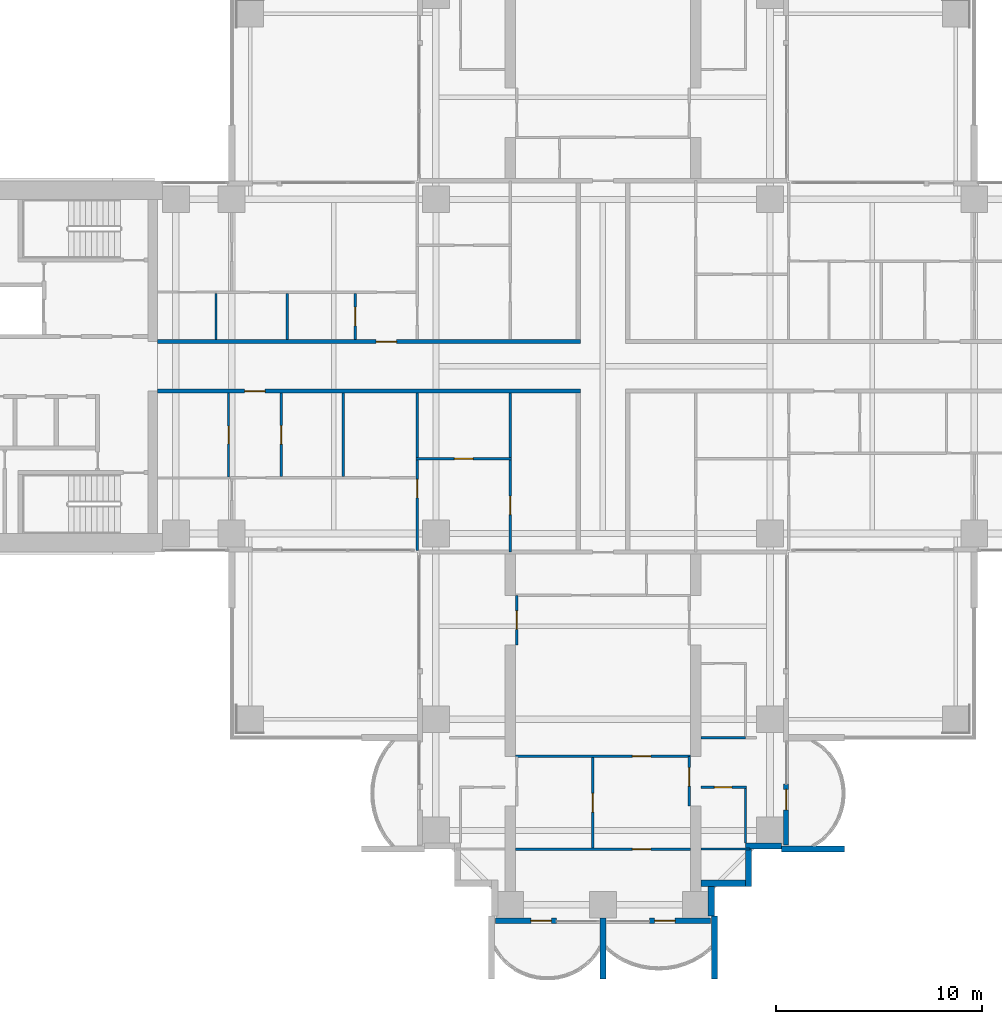
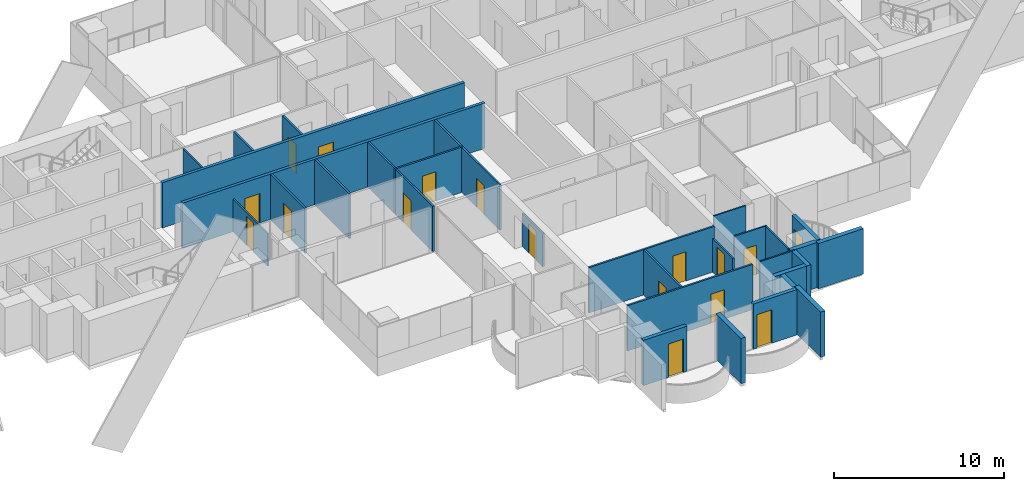
# One storey, part 12 of 23: 30 walls, 17 doors, 17 openings.
"""IFC4 building model written with IfcOpenShell, lengths in metres."""

from ifc_helpers import new_model, si_unit, direction, frame, frame_2d, origin, place, context, subcontext, project, spatial, rectangle, extrude, material, layer, layer_set, type_object, element, fill, save


model = new_model("IFC4")

# Units and contexts
model_context = context("Model", 3, precision=1e-05, world=origin(), true_north=direction((0.0, 1.0)))
body_context = subcontext(model_context, "Body", "Model", "MODEL_VIEW")
ifc_project = project(units=[si_unit("LENGTHUNIT", "METRE"), si_unit("AREAUNIT", "SQUARE_METRE"), si_unit("VOLUMEUNIT", "CUBIC_METRE"), si_unit("PLANEANGLEUNIT", "RADIAN"), si_unit("MASSUNIT", "GRAM", prefix="KILO")], contexts=[model_context])

# Site, building, storey
site_placement = place(None, origin())
site = spatial("IfcSite", under=ifc_project, at=site_placement, CompositionType="ELEMENT")
building_placement = place(site_placement, origin())
building = spatial("IfcBuilding", under=site, at=building_placement, Name="Perihelion Cross Residences", CompositionType="ELEMENT")
storey_placement = place(building_placement, frame((0.0, 0.0, 85.5)))
storey = spatial("IfcBuildingStorey", under=building, at=storey_placement, Name="L19", CompositionType="ELEMENT", Elevation=85.5)

# Wall, opening, door
ifc_material_1 = material(Name="Plasterboard partition")
ifc_layer_1 = layer(ifc_material_1, 0.199951171875)
ifc_layer_set_1 = layer_set([ifc_layer_1], Name="Apartment separation wall 200")
wall_type_1 = type_object("IfcWallType", Name="Apartment separation wall 200", PredefinedType="PARTITIONING", material=ifc_layer_set_1)
wall_1_placement = place(storey_placement, frame((-21.60009765625, 1.199951171875, 0.0), z_axis=(0.0, 0.0, 1.0), x_axis=(1.0, 0.0, 0.0)))
wall_1 = element("IfcWall", 1, at=wall_1_placement, inside=storey, type_object=wall_type_1, Name="Partition L19 W005", PredefinedType="PARTITIONING", context=body_context, shape_type="SweptSolid", body=[
    extrude(rectangle(XDim=20.5, YDim=0.199951171875, at=frame_2d((10.25, 0.0))), origin(), (0.0, 0.0, 1.0), 3.25),
])
opening_1_placement = place(wall_1_placement, frame((10.60009765625, 0.0, 0.0)))
opening_1 = element("IfcOpeningElement", 2, at=opening_1_placement, cuts=wall_1, Name="Opening L19.A55", PredefinedType="OPENING", context=body_context, shape_type="SweptSolid", body=[
    extrude(rectangle(XDim=1.0, YDim=2.10009765625, at=frame_2d((0.5, 1.050048828125))), frame((0.0, 0.10986328125, 0.0), z_axis=(0.0, -1.0, 0.0), x_axis=(1.0, 0.0, 0.0)), (0.0, 0.0, 1.0), 0.219970703125),
])
ifc_material_2 = material(Name="Timber door leaf", Category="wood")
door_type_1 = type_object("IfcDoorType", Name="Flat entrance door 1000 x 2100", OperationType="SINGLE_SWING_LEFT", PredefinedType="DOOR", material=ifc_material_2)
door_1_placement = place(opening_1_placement, origin())
door_1 = element("IfcDoor", 3, at=door_1_placement, inside=storey, type_object=door_type_1, Name="Door L19.A55", OperationType="SINGLE_SWING_LEFT", OverallHeight=2.10009765625, OverallWidth=1.0, PredefinedType="DOOR", context=body_context, shape_type="SweptSolid", body=[
    extrude(rectangle(XDim=1.0, YDim=2.10009765625, at=frame_2d((0.5, 1.050048828125))), frame((0.0, 0.02490234375, 0.0), z_axis=(0.0, -1.0, 0.0), x_axis=(1.0, 0.0, 0.0)), (0.0, 0.0, 1.0), 0.050048828125),
])
fill(opening_1, door_1)

wall_2_placement = place(storey_placement, frame((-1.10009765625, -1.199951171875, 0.0), z_axis=(0.0, 0.0, 1.0), x_axis=(-1.0, 0.0, 0.0)))
wall_2 = element("IfcWall", 4, at=wall_2_placement, inside=storey, type_object=wall_type_1, Name="Partition L19 W007", PredefinedType="PARTITIONING", context=body_context, shape_type="SweptSolid", body=[
    extrude(rectangle(XDim=20.5, YDim=0.199951171875, at=frame_2d((10.25, 0.0))), origin(), (0.0, 0.0, 1.0), 3.25),
])
opening_2_placement = place(wall_2_placement, frame((15.27490234375, 0.0, 0.0)))
opening_2 = element("IfcOpeningElement", 5, at=opening_2_placement, cuts=wall_2, Name="Opening L19.A56", PredefinedType="OPENING", context=body_context, shape_type="SweptSolid", body=[
    extrude(rectangle(XDim=1.0, YDim=2.10009765625, at=frame_2d((0.5, 1.050048828125))), frame((0.0, 0.10986328125, 0.0), z_axis=(0.0, -1.0, 0.0), x_axis=(1.0, 0.0, 0.0)), (0.0, 0.0, 1.0), 0.219970703125),
])
door_2_placement = place(opening_2_placement, origin())
door_2 = element("IfcDoor", 6, at=door_2_placement, inside=storey, type_object=door_type_1, Name="Door L19.A56", OperationType="SINGLE_SWING_RIGHT", OverallHeight=2.10009765625, OverallWidth=1.0, PredefinedType="DOOR", context=body_context, shape_type="SweptSolid", body=[
    extrude(rectangle(XDim=1.0, YDim=2.10009765625, at=frame_2d((0.5, 1.050048828125))), frame((0.0, 0.02490234375, 0.0), z_axis=(0.0, -1.0, 0.0), x_axis=(1.0, 0.0, 0.0)), (0.0, 0.0, 1.0), 0.050048828125),
])
fill(opening_2, door_2)

ifc_material_3 = material(Name="Concrete C30/37, bronze-clad", Category="concrete")
ifc_layer_2 = layer(ifc_material_3, 0.25)
ifc_layer_set_2 = layer_set([ifc_layer_2], Name="Bronze-clad pier wall 250")
wall_type_2 = type_object("IfcWallType", Name="Bronze-clad pier wall 250", PredefinedType="SOLIDWALL", material=ifc_layer_set_2)
wall_3_placement = place(storey_placement, frame((-5.199951171875, -26.875, 0.0), z_axis=(0.0, 0.0, 1.0), x_axis=(1.0, 0.0, 0.0)))
wall_3 = element("IfcWall", 7, at=wall_3_placement, inside=storey, type_object=wall_type_2, Name="Wall FW1 L19 south tip south bay 1 pier", PredefinedType="SOLIDWALL", context=body_context, shape_type="SweptSolid", body=[
    extrude(rectangle(XDim=2.949951171875, YDim=0.25, at=frame_2d((1.47509765625, 0.0))), origin(), (0.0, 0.0, 1.0), 3.25),
])
opening_3_placement = place(wall_3_placement, frame((1.699951171875, 0.0, 0.0)))
opening_3 = element("IfcOpeningElement", 8, at=opening_3_placement, cuts=wall_3, Name="Opening L19.E12", PredefinedType="OPENING", context=body_context, shape_type="SweptSolid", body=[
    extrude(rectangle(XDim=1.0, YDim=2.39990234375, at=frame_2d((0.5, 1.199951171875))), frame((0.0, 0.135009765625, 0.0), z_axis=(0.0, -1.0, 0.0), x_axis=(1.0, 0.0, 0.0)), (0.0, 0.0, 1.0), 0.27001953125),
])
ifc_material_4 = material(Name="Bronze anodised aluminium, glazed", Category="aluminium")
door_type_2 = type_object("IfcDoorType", Name="Balcony door 1000 x 2400", OperationType="NOTDEFINED", PredefinedType="DOOR", material=ifc_material_4)
door_3_placement = place(opening_3_placement, origin())
door_3 = element("IfcDoor", 9, at=door_3_placement, inside=storey, type_object=door_type_2, Name="Door L19.E12 south tip south bay 1", OperationType="SINGLE_SWING_LEFT", OverallHeight=2.39990234375, OverallWidth=1.0, PredefinedType="DOOR", context=body_context, shape_type="SweptSolid", body=[
    extrude(rectangle(XDim=1.0, YDim=2.39990234375, at=frame_2d((0.5, 1.199951171875))), frame((0.0, 0.02490234375, 0.0), z_axis=(0.0, -1.0, 0.0), x_axis=(1.0, 0.0, 0.0)), (0.0, 0.0, 1.0), 0.050048828125),
])
fill(opening_3, door_3)

wall_4_placement = place(storey_placement, frame((2.25, -26.875, 0.0), z_axis=(0.0, 0.0, 1.0), x_axis=(1.0, 0.0, 0.0)))
wall_4 = element("IfcWall", 10, at=wall_4_placement, inside=storey, type_object=wall_type_2, Name="Wall FW1 L19 south tip south bay 2 pier", PredefinedType="SOLIDWALL", context=body_context, shape_type="SweptSolid", body=[
    extrude(rectangle(XDim=2.949951171875, YDim=0.25, at=frame_2d((1.47509765625, 0.0))), origin(), (0.0, 0.0, 1.0), 3.25),
])
opening_4_placement = place(wall_4_placement, frame((0.25, 0.0, 0.0)))
opening_4 = element("IfcOpeningElement", 11, at=opening_4_placement, cuts=wall_4, Name="Opening L19.E13", PredefinedType="OPENING", context=body_context, shape_type="SweptSolid", body=[
    extrude(rectangle(XDim=1.0, YDim=2.39990234375, at=frame_2d((0.5, 1.199951171875))), frame((0.0, 0.135009765625, 0.0), z_axis=(0.0, -1.0, 0.0), x_axis=(1.0, 0.0, 0.0)), (0.0, 0.0, 1.0), 0.27001953125),
])
door_4_placement = place(opening_4_placement, origin())
door_4 = element("IfcDoor", 12, at=door_4_placement, inside=storey, type_object=door_type_2, Name="Door L19.E13 south tip south bay 2", OperationType="SINGLE_SWING_RIGHT", OverallHeight=2.39990234375, OverallWidth=1.0, PredefinedType="DOOR", context=body_context, shape_type="SweptSolid", body=[
    extrude(rectangle(XDim=1.0, YDim=2.39990234375, at=frame_2d((0.5, 1.199951171875))), frame((0.0, 0.02490234375, 0.0), z_axis=(0.0, -1.0, 0.0), x_axis=(1.0, 0.0, 0.0)), (0.0, 0.0, 1.0), 0.050048828125),
])
fill(opening_4, door_4)

wall_5_placement = place(storey_placement, frame((8.875, -23.199951171875, 0.0), z_axis=(0.0, 0.0, 1.0), x_axis=(0.0, 1.0, 0.0)))
wall_5 = element("IfcWall", 13, at=wall_5_placement, inside=storey, type_object=wall_type_2, Name="Wall FW1 L19 south side east bay 1 pier", PredefinedType="SOLIDWALL", context=body_context, shape_type="SweptSolid", body=[
    extrude(rectangle(XDim=2.949951171875, YDim=0.25, at=frame_2d((1.47509765625, 0.0))), origin(), (0.0, 0.0, 1.0), 3.25),
])
opening_5_placement = place(wall_5_placement, frame((1.699951171875, 0.0, 0.0)))
opening_5 = element("IfcOpeningElement", 14, at=opening_5_placement, cuts=wall_5, Name="Opening L19.E14", PredefinedType="OPENING", context=body_context, shape_type="SweptSolid", body=[
    extrude(rectangle(XDim=1.0, YDim=2.39990234375, at=frame_2d((0.5, 1.199951171875))), frame((0.0, 0.135009765625, 0.0), z_axis=(0.0, -1.0, 0.0), x_axis=(1.0, 0.0, 0.0)), (0.0, 0.0, 1.0), 0.27001953125),
])
door_5_placement = place(opening_5_placement, origin())
door_5 = element("IfcDoor", 15, at=door_5_placement, inside=storey, type_object=door_type_2, Name="Door L19.E14 south side east bay 1", OperationType="SINGLE_SWING_LEFT", OverallHeight=2.39990234375, OverallWidth=1.0, PredefinedType="DOOR", context=body_context, shape_type="SweptSolid", body=[
    extrude(rectangle(XDim=1.0, YDim=2.39990234375, at=frame_2d((0.5, 1.199951171875))), frame((0.0, 0.02490234375, 0.0), z_axis=(0.0, -1.0, 0.0), x_axis=(1.0, 0.0, 0.0)), (0.0, 0.0, 1.0), 0.050048828125),
])
fill(opening_5, door_5)

# Walls
ifc_material_5 = material(Name="Concrete C30/37, bronze-clad", Category="concrete")
ifc_layer_3 = layer(ifc_material_5, 0.300048828125)
ifc_layer_set_3 = layer_set([ifc_layer_3], Name="Bronze-clad serration wall 300")
wall_type_3 = type_object("IfcWallType", Name="Bronze-clad serration wall 300", PredefinedType="SOLIDWALL", material=ifc_layer_set_3)
wall_6_placement = place(storey_placement, frame((5.25, -26.64990234375, 0.0), z_axis=(0.0, 0.0, 1.0), x_axis=(0.0, 1.0, 0.0)))
element("IfcWall", 16, at=wall_6_placement, inside=storey, type_object=wall_type_3, Name="Wall SR1 L19 south corner south-east 1", PredefinedType="SOLIDWALL", context=body_context, shape_type="SweptSolid", body=[
    extrude(rectangle(XDim=1.449951171875, YDim=0.300048828125, at=frame_2d((0.72509765625, 0.0))), origin(), (0.0, 0.0, 1.0), 3.25),
])
wall_7_placement = place(storey_placement, frame((4.75, -25.050048828125, 0.0), z_axis=(0.0, 0.0, 1.0), x_axis=(1.0, 0.0, 0.0)))
element("IfcWall", 17, at=wall_7_placement, inside=storey, type_object=wall_type_3, Name="Wall SR1 L19 south corner south-east 2", PredefinedType="SOLIDWALL", context=body_context, shape_type="SweptSolid", body=[
    extrude(rectangle(XDim=2.14990234375, YDim=0.300048828125, at=frame_2d((1.074951171875, 0.0))), origin(), (0.0, 0.0, 1.0), 3.25),
])
wall_8_placement = place(storey_placement, frame((7.050048828125, -25.199951171875, 0.0), z_axis=(0.0, 0.0, 1.0), x_axis=(0.0, 1.0, 0.0)))
element("IfcWall", 18, at=wall_8_placement, inside=storey, type_object=wall_type_3, Name="Wall SR1 L19 south corner south-east 3", PredefinedType="SOLIDWALL", context=body_context, shape_type="SweptSolid", body=[
    extrude(rectangle(XDim=1.800048828125, YDim=0.300048828125, at=frame_2d((0.89990234375, 0.0))), origin(), (0.0, 0.0, 1.0), 3.25),
])
wall_9_placement = place(storey_placement, frame((6.89990234375, -23.25, 0.0), z_axis=(0.0, 0.0, 1.0), x_axis=(1.0, 0.0, 0.0)))
element("IfcWall", 19, at=wall_9_placement, inside=storey, type_object=wall_type_3, Name="Wall SR1 L19 south corner south-east 4", PredefinedType="SOLIDWALL", context=body_context, shape_type="SweptSolid", body=[
    extrude(rectangle(XDim=1.75, YDim=0.300048828125, at=frame_2d((0.875, 0.0))), origin(), (0.0, 0.0, 1.0), 3.25),
])

# Wall, opening, door
ifc_material_6 = material(Name="Plasterboard partition")
ifc_layer_4 = layer(ifc_material_6, 0.1201171875)
ifc_layer_set_4 = layer_set([ifc_layer_4], Name="Infill panel 120")
wall_type_4 = type_object("IfcWallType", Name="Infill panel 120", PredefinedType="PARTITIONING", material=ifc_layer_set_4)
wall_10_placement = place(storey_placement, frame((4.18994140625, -18.89990234375, 0.0), z_axis=(0.0, 0.0, 1.0), x_axis=(0.0, -1.0, 0.0)))
wall_10 = element("IfcWall", 20, at=wall_10_placement, inside=storey, type_object=wall_type_4, Name="Partition L19 WI06", PredefinedType="PARTITIONING", context=body_context, shape_type="SweptSolid", body=[
    extrude(rectangle(XDim=2.400146484375, YDim=0.1201171875, at=frame_2d((1.2001953125, 0.0))), origin(), (0.0, 0.0, 1.0), 2.39990234375),
])
opening_6_placement = place(wall_10_placement, frame((0.550048828125, 0.0, 0.0)))
opening_6 = element("IfcOpeningElement", 21, at=opening_6_placement, cuts=wall_10, Name="Opening L19.A62", PredefinedType="OPENING", context=body_context, shape_type="SweptSolid", body=[
    extrude(rectangle(XDim=0.89990234375, YDim=2.10009765625, at=frame_2d((0.449951171875, 1.050048828125))), frame((0.0, 0.070068359375, 0.0), z_axis=(0.0, -1.0, 0.0), x_axis=(1.0, 0.0, 0.0)), (0.0, 0.0, 1.0), 0.14013671875),
])
ifc_material_7 = material(Name="Timber door leaf", Category="wood")
door_type_3 = type_object("IfcDoorType", Name="Interior room door 900 x 2100", OperationType="SINGLE_SWING_LEFT", PredefinedType="DOOR", material=ifc_material_7)
door_6_placement = place(opening_6_placement, origin())
door_6 = element("IfcDoor", 22, at=door_6_placement, inside=storey, type_object=door_type_3, Name="Door L19.A62", OperationType="SINGLE_SWING_LEFT", OverallHeight=2.10009765625, OverallWidth=0.89990234375, PredefinedType="DOOR", context=body_context, shape_type="SweptSolid", body=[
    extrude(rectangle(XDim=0.89990234375, YDim=2.10009765625, at=frame_2d((0.449951171875, 1.050048828125))), frame((0.0, 0.02490234375, 0.0), z_axis=(0.0, -1.0, 0.0), x_axis=(1.0, 0.0, 0.0)), (0.0, 0.0, 1.0), 0.050048828125),
])
fill(opening_6, door_6)

wall_11_placement = place(storey_placement, frame((-4.18994140625, -11.10009765625, 0.0), z_axis=(0.0, 0.0, 1.0), x_axis=(0.0, -1.0, 0.0)))
wall_11 = element("IfcWall", 23, at=wall_11_placement, inside=storey, type_object=wall_type_4, Name="Partition L19 WI07", PredefinedType="PARTITIONING", context=body_context, shape_type="SweptSolid", body=[
    extrude(rectangle(XDim=2.39990234375, YDim=0.1201171875, at=frame_2d((1.199951171875, 0.0))), origin(), (0.0, 0.0, 1.0), 2.39990234375),
])
opening_7_placement = place(wall_11_placement, frame((0.75, 0.0, 0.0)))
opening_7 = element("IfcOpeningElement", 24, at=opening_7_placement, cuts=wall_11, Name="Opening L19.A63", PredefinedType="OPENING", context=body_context, shape_type="SweptSolid", body=[
    extrude(rectangle(XDim=0.89990234375, YDim=2.10009765625, at=frame_2d((0.449951171875, 1.050048828125))), frame((0.0, 0.070068359375, 0.0), z_axis=(0.0, -1.0, 0.0), x_axis=(1.0, 0.0, 0.0)), (0.0, 0.0, 1.0), 0.14013671875),
])
door_7_placement = place(opening_7_placement, origin())
door_7 = element("IfcDoor", 25, at=door_7_placement, inside=storey, type_object=door_type_3, Name="Door L19.A63", OperationType="SINGLE_SWING_LEFT", OverallHeight=2.10009765625, OverallWidth=0.89990234375, PredefinedType="DOOR", context=body_context, shape_type="SweptSolid", body=[
    extrude(rectangle(XDim=0.89990234375, YDim=2.10009765625, at=frame_2d((0.449951171875, 1.050048828125))), frame((0.0, 0.02490234375, 0.0), z_axis=(0.0, -1.0, 0.0), x_axis=(1.0, 0.0, 0.0)), (0.0, 0.0, 1.0), 0.050048828125),
])
fill(opening_7, door_7)

ifc_material_8 = material(Name="Plasterboard partition")
ifc_layer_5 = layer(ifc_material_8, 0.1201171875)
ifc_layer_set_5 = layer_set([ifc_layer_5], Name="Partition wall 120")
wall_type_5 = type_object("IfcWallType", Name="Partition wall 120", PredefinedType="PARTITIONING", material=ifc_layer_set_5)
wall_12_placement = place(storey_placement, frame((-12.0, 1.300048828125, 0.0), z_axis=(0.0, 0.0, 1.0), x_axis=(0.0, 1.0, 0.0)))
wall_12 = element("IfcWall", 26, at=wall_12_placement, inside=storey, type_object=wall_type_5, Name="Partition L19 W031", PredefinedType="PARTITIONING", context=body_context, shape_type="SweptSolid", body=[
    extrude(rectangle(XDim=2.239990234375, YDim=0.1201171875, at=frame_2d((1.1201171875, 0.0))), origin(), (0.0, 0.0, 1.0), 3.25),
])
opening_8_placement = place(wall_12_placement, frame((0.669921875, 0.0, 0.0)))
opening_8 = element("IfcOpeningElement", 27, at=opening_8_placement, cuts=wall_12, Name="Opening L19.A21", PredefinedType="OPENING", context=body_context, shape_type="SweptSolid", body=[
    extrude(rectangle(XDim=0.89990234375, YDim=2.10009765625, at=frame_2d((0.449951171875, 1.050048828125))), frame((0.0, 0.070068359375, 0.0), z_axis=(0.0, -1.0, 0.0), x_axis=(1.0, 0.0, 0.0)), (0.0, 0.0, 1.0), 0.14013671875),
])
door_8_placement = place(opening_8_placement, origin())
door_8 = element("IfcDoor", 28, at=door_8_placement, inside=storey, type_object=door_type_3, Name="Door L19.A21", OperationType="SINGLE_SWING_RIGHT", OverallHeight=2.10009765625, OverallWidth=0.89990234375, PredefinedType="DOOR", context=body_context, shape_type="SweptSolid", body=[
    extrude(rectangle(XDim=0.89990234375, YDim=2.10009765625, at=frame_2d((0.449951171875, 1.050048828125))), frame((0.0, 0.02490234375, 0.0), z_axis=(0.0, -1.0, 0.0), x_axis=(1.0, 0.0, 0.0)), (0.0, 0.0, 1.0), 0.050048828125),
])
fill(opening_8, door_8)

# Walls
wall_13_placement = place(storey_placement, frame((-15.300048828125, 1.300048828125, 0.0), z_axis=(0.0, 0.0, 1.0), x_axis=(0.0, 1.0, 0.0)))
element("IfcWall", 29, at=wall_13_placement, inside=storey, type_object=wall_type_5, Name="Partition L19 W034", PredefinedType="PARTITIONING", context=body_context, shape_type="SweptSolid", body=[
    extrude(rectangle(XDim=2.239990234375, YDim=0.1201171875, at=frame_2d((1.1201171875, 0.0))), origin(), (0.0, 0.0, 1.0), 3.25),
])
wall_14_placement = place(storey_placement, frame((-12.60009765625, -5.340087890625, 0.0), z_axis=(0.0, 0.0, 1.0), x_axis=(0.0, 1.0, 0.0)))
element("IfcWall", 30, at=wall_14_placement, inside=storey, type_object=wall_type_5, Name="Partition L19 W040", PredefinedType="PARTITIONING", context=body_context, shape_type="SweptSolid", body=[
    extrude(rectangle(XDim=4.0400390625, YDim=0.1201171875, at=frame_2d((2.02001953125, 0.0))), origin(), (0.0, 0.0, 1.0), 3.25),
])

# Wall, opening, door
wall_15_placement = place(storey_placement, frame((-9.0, -1.300048828125, 0.0), z_axis=(0.0, 0.0, 1.0), x_axis=(0.0, -1.0, 0.0)))
wall_15 = element("IfcWall", 31, at=wall_15_placement, inside=storey, type_object=wall_type_5, Name="Partition L19 W042", PredefinedType="PARTITIONING", context=body_context, shape_type="SweptSolid", body=[
    extrude(rectangle(XDim=7.619873046875, YDim=0.1201171875, at=frame_2d((3.81005859375, 0.0))), origin(), (0.0, 0.0, 1.0), 3.25),
])
opening_9_placement = place(wall_15_placement, frame((4.169921875, 0.0, 0.0)))
opening_9 = element("IfcOpeningElement", 32, at=opening_9_placement, cuts=wall_15, Name="Opening L19.A30", PredefinedType="OPENING", context=body_context, shape_type="SweptSolid", body=[
    extrude(rectangle(XDim=0.89990234375, YDim=2.10009765625, at=frame_2d((0.449951171875, 1.050048828125))), frame((0.0, 0.070068359375, 0.0), z_axis=(0.0, -1.0, 0.0), x_axis=(1.0, 0.0, 0.0)), (0.0, 0.0, 1.0), 0.14013671875),
])
door_9_placement = place(opening_9_placement, origin())
door_9 = element("IfcDoor", 33, at=door_9_placement, inside=storey, type_object=door_type_3, Name="Door L19.A30", OperationType="SINGLE_SWING_RIGHT", OverallHeight=2.10009765625, OverallWidth=0.89990234375, PredefinedType="DOOR", context=body_context, shape_type="SweptSolid", body=[
    extrude(rectangle(XDim=0.89990234375, YDim=2.10009765625, at=frame_2d((0.449951171875, 1.050048828125))), frame((0.0, 0.02490234375, 0.0), z_axis=(0.0, -1.0, 0.0), x_axis=(1.0, 0.0, 0.0)), (0.0, 0.0, 1.0), 0.050048828125),
])
fill(opening_9, door_9)

wall_16_placement = place(storey_placement, frame((-15.60009765625, -5.340087890625, 0.0), z_axis=(0.0, 0.0, 1.0), x_axis=(0.0, 1.0, 0.0)))
wall_16 = element("IfcWall", 34, at=wall_16_placement, inside=storey, type_object=wall_type_5, Name="Partition L19 W043", PredefinedType="PARTITIONING", context=body_context, shape_type="SweptSolid", body=[
    extrude(rectangle(XDim=4.0400390625, YDim=0.1201171875, at=frame_2d((2.02001953125, 0.0))), origin(), (0.0, 0.0, 1.0), 3.25),
])
opening_10_placement = place(wall_16_placement, frame((1.570068359375, 0.0, 0.0)))
opening_10 = element("IfcOpeningElement", 35, at=opening_10_placement, cuts=wall_16, Name="Opening L19.A26", PredefinedType="OPENING", context=body_context, shape_type="SweptSolid", body=[
    extrude(rectangle(XDim=0.89990234375, YDim=2.10009765625, at=frame_2d((0.449951171875, 1.050048828125))), frame((0.0, 0.070068359375, 0.0), z_axis=(0.0, -1.0, 0.0), x_axis=(1.0, 0.0, 0.0)), (0.0, 0.0, 1.0), 0.14013671875),
])
door_10_placement = place(opening_10_placement, origin())
door_10 = element("IfcDoor", 36, at=door_10_placement, inside=storey, type_object=door_type_3, Name="Door L19.A26", OperationType="SINGLE_SWING_LEFT", OverallHeight=2.10009765625, OverallWidth=0.89990234375, PredefinedType="DOOR", context=body_context, shape_type="SweptSolid", body=[
    extrude(rectangle(XDim=0.89990234375, YDim=2.10009765625, at=frame_2d((0.449951171875, 1.050048828125))), frame((0.0, 0.02490234375, 0.0), z_axis=(0.0, -1.0, 0.0), x_axis=(1.0, 0.0, 0.0)), (0.0, 0.0, 1.0), 0.050048828125),
])
fill(opening_10, door_10)

wall_17_placement = place(storey_placement, frame((-4.43994140625, -4.47607421875, 0.0), z_axis=(0.0, 0.0, 1.0), x_axis=(-1.0, 0.0, 0.0)))
wall_17 = element("IfcWall", 37, at=wall_17_placement, inside=storey, type_object=wall_type_5, Name="Partition L19 W047", PredefinedType="PARTITIONING", context=body_context, shape_type="SweptSolid", body=[
    extrude(rectangle(XDim=4.6201171875, YDim=0.1201171875, at=frame_2d((2.31005859375, 0.0))), origin(), (0.0, 0.0, 1.0), 3.25),
])
opening_11_placement = place(wall_17_placement, frame((1.860107421875, 0.0, 0.0)))
opening_11 = element("IfcOpeningElement", 38, at=opening_11_placement, cuts=wall_17, Name="Opening L19.A27", PredefinedType="OPENING", context=body_context, shape_type="SweptSolid", body=[
    extrude(rectangle(XDim=0.89990234375, YDim=2.10009765625, at=frame_2d((0.449951171875, 1.050048828125))), frame((0.0, 0.070068359375, 0.0), z_axis=(0.0, -1.0, 0.0), x_axis=(1.0, 0.0, 0.0)), (0.0, 0.0, 1.0), 0.14013671875),
])
door_11_placement = place(opening_11_placement, origin())
door_11 = element("IfcDoor", 39, at=door_11_placement, inside=storey, type_object=door_type_3, Name="Door L19.A27", OperationType="SINGLE_SWING_RIGHT", OverallHeight=2.10009765625, OverallWidth=0.89990234375, PredefinedType="DOOR", context=body_context, shape_type="SweptSolid", body=[
    extrude(rectangle(XDim=0.89990234375, YDim=2.10009765625, at=frame_2d((0.449951171875, 1.050048828125))), frame((0.0, 0.02490234375, 0.0), z_axis=(0.0, -1.0, 0.0), x_axis=(1.0, 0.0, 0.0)), (0.0, 0.0, 1.0), 0.050048828125),
])
fill(opening_11, door_11)

wall_18_placement = place(storey_placement, frame((-4.5, -1.300048828125, 0.0), z_axis=(0.0, 0.0, 1.0), x_axis=(0.0, -1.0, 0.0)))
wall_18 = element("IfcWall", 40, at=wall_18_placement, inside=storey, type_object=wall_type_5, Name="Partition L19 W048", PredefinedType="PARTITIONING", context=body_context, shape_type="SweptSolid", body=[
    extrude(rectangle(XDim=7.699951171875, YDim=0.1201171875, at=frame_2d((3.85009765625, 0.0))), origin(), (0.0, 0.0, 1.0), 3.25),
])
opening_12_placement = place(wall_18_placement, frame((4.988037109375, 0.0, 0.0)))
opening_12 = element("IfcOpeningElement", 41, at=opening_12_placement, cuts=wall_18, Name="Opening L19.A29", PredefinedType="OPENING", context=body_context, shape_type="SweptSolid", body=[
    extrude(rectangle(XDim=0.89990234375, YDim=2.10009765625, at=frame_2d((0.449951171875, 1.050048828125))), frame((0.0, 0.070068359375, 0.0), z_axis=(0.0, -1.0, 0.0), x_axis=(1.0, 0.0, 0.0)), (0.0, 0.0, 1.0), 0.14013671875),
])
door_12_placement = place(opening_12_placement, origin())
door_12 = element("IfcDoor", 42, at=door_12_placement, inside=storey, type_object=door_type_3, Name="Door L19.A29", OperationType="SINGLE_SWING_RIGHT", OverallHeight=2.10009765625, OverallWidth=0.89990234375, PredefinedType="DOOR", context=body_context, shape_type="SweptSolid", body=[
    extrude(rectangle(XDim=0.89990234375, YDim=2.10009765625, at=frame_2d((0.449951171875, 1.050048828125))), frame((0.0, 0.02490234375, 0.0), z_axis=(0.0, -1.0, 0.0), x_axis=(1.0, 0.0, 0.0)), (0.0, 0.0, 1.0), 0.050048828125),
])
fill(opening_12, door_12)

wall_19_placement = place(storey_placement, frame((4.25, -18.89990234375, 0.0), z_axis=(0.0, 0.0, 1.0), x_axis=(-1.0, 0.0, 0.0)))
wall_19 = element("IfcWall", 43, at=wall_19_placement, inside=storey, type_object=wall_type_5, Name="Partition L19 W072", PredefinedType="PARTITIONING", context=body_context, shape_type="SweptSolid", body=[
    extrude(rectangle(XDim=8.5, YDim=0.1201171875, at=frame_2d((4.25, 0.0))), origin(), (0.0, 0.0, 1.0), 3.25),
])
opening_13_placement = place(wall_19_placement, frame((1.925048828125, 0.0, 0.0)))
opening_13 = element("IfcOpeningElement", 44, at=opening_13_placement, cuts=wall_19, Name="Opening L19.A47", PredefinedType="OPENING", context=body_context, shape_type="SweptSolid", body=[
    extrude(rectangle(XDim=0.89990234375, YDim=2.10009765625, at=frame_2d((0.449951171875, 1.050048828125))), frame((0.0, 0.070068359375, 0.0), z_axis=(0.0, -1.0, 0.0), x_axis=(1.0, 0.0, 0.0)), (0.0, 0.0, 1.0), 0.14013671875),
])
door_13_placement = place(opening_13_placement, origin())
door_13 = element("IfcDoor", 45, at=door_13_placement, inside=storey, type_object=door_type_3, Name="Door L19.A47", OperationType="SINGLE_SWING_RIGHT", OverallHeight=2.10009765625, OverallWidth=0.89990234375, PredefinedType="DOOR", context=body_context, shape_type="SweptSolid", body=[
    extrude(rectangle(XDim=0.89990234375, YDim=2.10009765625, at=frame_2d((0.449951171875, 1.050048828125))), frame((0.0, 0.02490234375, 0.0), z_axis=(0.0, -1.0, 0.0), x_axis=(1.0, 0.0, 0.0)), (0.0, 0.0, 1.0), 0.050048828125),
])
fill(opening_13, door_13)

wall_20_placement = place(storey_placement, frame((-0.5, -23.340087890625, 0.0), z_axis=(0.0, 0.0, 1.0), x_axis=(0.0, 1.0, 0.0)))
wall_20 = element("IfcWall", 46, at=wall_20_placement, inside=storey, type_object=wall_type_5, Name="Partition L19 W073", PredefinedType="PARTITIONING", context=body_context, shape_type="SweptSolid", body=[
    extrude(rectangle(XDim=4.380126953125, YDim=0.1201171875, at=frame_2d((2.18994140625, 0.0))), origin(), (0.0, 0.0, 1.0), 3.25),
])
opening_14_placement = place(wall_20_placement, frame((1.739990234375, 0.0, 0.0)))
opening_14 = element("IfcOpeningElement", 47, at=opening_14_placement, cuts=wall_20, Name="Opening L19.A48", PredefinedType="OPENING", context=body_context, shape_type="SweptSolid", body=[
    extrude(rectangle(XDim=0.89990234375, YDim=2.10009765625, at=frame_2d((0.449951171875, 1.050048828125))), frame((0.0, 0.070068359375, 0.0), z_axis=(0.0, -1.0, 0.0), x_axis=(1.0, 0.0, 0.0)), (0.0, 0.0, 1.0), 0.14013671875),
])
door_14_placement = place(opening_14_placement, origin())
door_14 = element("IfcDoor", 48, at=door_14_placement, inside=storey, type_object=door_type_3, Name="Door L19.A48", OperationType="SINGLE_SWING_LEFT", OverallHeight=2.10009765625, OverallWidth=0.89990234375, PredefinedType="DOOR", context=body_context, shape_type="SweptSolid", body=[
    extrude(rectangle(XDim=0.89990234375, YDim=2.10009765625, at=frame_2d((0.449951171875, 1.050048828125))), frame((0.0, 0.02490234375, 0.0), z_axis=(0.0, -1.0, 0.0), x_axis=(1.0, 0.0, 0.0)), (0.0, 0.0, 1.0), 0.050048828125),
])
fill(opening_14, door_14)

wall_21_placement = place(storey_placement, frame((4.25, -23.39990234375, 0.0), z_axis=(0.0, 0.0, 1.0), x_axis=(-1.0, 0.0, 0.0)))
wall_21 = element("IfcWall", 49, at=wall_21_placement, inside=storey, type_object=wall_type_5, Name="Partition L19 W074", PredefinedType="PARTITIONING", context=body_context, shape_type="SweptSolid", body=[
    extrude(rectangle(XDim=8.5, YDim=0.1201171875, at=frame_2d((4.25, 0.0))), origin(), (0.0, 0.0, 1.0), 3.25),
])
opening_15_placement = place(wall_21_placement, frame((1.925048828125, 0.0, 0.0)))
opening_15 = element("IfcOpeningElement", 50, at=opening_15_placement, cuts=wall_21, Name="Opening L19.A49", PredefinedType="OPENING", context=body_context, shape_type="SweptSolid", body=[
    extrude(rectangle(XDim=0.89990234375, YDim=2.10009765625, at=frame_2d((0.449951171875, 1.050048828125))), frame((0.0, 0.070068359375, 0.0), z_axis=(0.0, -1.0, 0.0), x_axis=(1.0, 0.0, 0.0)), (0.0, 0.0, 1.0), 0.14013671875),
])
door_15_placement = place(opening_15_placement, origin())
door_15 = element("IfcDoor", 51, at=door_15_placement, inside=storey, type_object=door_type_3, Name="Door L19.A49", OperationType="SINGLE_SWING_LEFT", OverallHeight=2.10009765625, OverallWidth=0.89990234375, PredefinedType="DOOR", context=body_context, shape_type="SweptSolid", body=[
    extrude(rectangle(XDim=0.89990234375, YDim=2.10009765625, at=frame_2d((0.449951171875, 1.050048828125))), frame((0.0, 0.02490234375, 0.0), z_axis=(0.0, -1.0, 0.0), x_axis=(1.0, 0.0, 0.0)), (0.0, 0.0, 1.0), 0.050048828125),
])
fill(opening_15, door_15)

# Walls
ifc_material_9 = material(Name="Precast concrete C50/60", Category="concrete")
ifc_layer_6 = layer(ifc_material_9, 0.300048828125)
ifc_layer_set_6 = layer_set([ifc_layer_6], Name="Precast concrete C50/60 blade wall 300")
wall_type_6 = type_object("IfcWallType", Name="Precast concrete C50/60 blade wall 300", PredefinedType="SOLIDWALL", material=ifc_layer_set_6)
wall_22_placement = place(storey_placement, frame((0.0, -26.75, 0.0), z_axis=(0.0, 0.0, 1.0), x_axis=(0.0, -1.0, 0.0)))
element("IfcWall", 52, at=wall_22_placement, inside=storey, type_object=wall_type_6, Name="Wall BL1 L19 no. 9", PredefinedType="SOLIDWALL", context=body_context, shape_type="SweptSolid", body=[
    extrude(rectangle(XDim=2.949951171875, YDim=0.300048828125, at=frame_2d((1.47509765625, 0.0))), origin(), (0.0, 0.0, 1.0), 3.25),
])
for number, where, z_axis, x_axis, name in (
    (53, (5.39990234375, -26.64990234375, 0.0), (0.0, 0.0, 1.0), (0.0, -1.0, 0.0), "Wall BL1 L19 no. 13"),
    (54, (8.64990234375, -23.39990234375, 0.0), (0.0, 0.0, 1.0), (1.0, 0.0, 0.0), "Wall BL1 L19 no. 16"),
):
    element("IfcWall", number, at=place(storey_placement, frame(where, z_axis=z_axis, x_axis=x_axis)), inside=storey, type_object=wall_type_6, Name=name, PredefinedType="SOLIDWALL", context=body_context, shape_type="SweptSolid", body=[
        extrude(rectangle(XDim=3.050048828125, YDim=0.300048828125, at=frame_2d((1.52490234375, 0.0))), origin(), (0.0, 0.0, 1.0), 3.25),
    ])
ifc_material_10 = material(Name="Plasterboard partition")
ifc_layer_7 = layer(ifc_material_10, 0.10009765625)
ifc_layer_set_7 = layer_set([ifc_layer_7], Name="Wet room wall 100")
wall_type_7 = type_object("IfcWallType", Name="Wet room wall 100", PredefinedType="PARTITIONING", material=ifc_layer_set_7)
wall_23_placement = place(storey_placement, frame((-18.75, 1.300048828125, 0.0), z_axis=(0.0, 0.0, 1.0), x_axis=(0.0, 1.0, 0.0)))
element("IfcWall", 55, at=wall_23_placement, inside=storey, type_object=wall_type_7, Name="Partition L19 W035", PredefinedType="PARTITIONING", context=body_context, shape_type="SweptSolid", body=[
    extrude(rectangle(XDim=2.239990234375, YDim=0.10009765625, at=frame_2d((1.1201171875, 0.0))), origin(), (0.0, 0.0, 1.0), 3.25),
])

# Wall, opening, door
wall_24_placement = place(storey_placement, frame((-18.14990234375, -5.35009765625, 0.0), z_axis=(0.0, 0.0, 1.0), x_axis=(0.0, 1.0, 0.0)))
wall_24 = element("IfcWall", 56, at=wall_24_placement, inside=storey, type_object=wall_type_7, Name="Partition L19 W044", PredefinedType="PARTITIONING", context=body_context, shape_type="SweptSolid", body=[
    extrude(rectangle(XDim=4.050048828125, YDim=0.10009765625, at=frame_2d((2.02490234375, 0.0))), origin(), (0.0, 0.0, 1.0), 2.345947265625),
])
opening_16_placement = place(wall_24_placement, frame((1.60009765625, 0.0, 0.0)))
opening_16 = element("IfcOpeningElement", 57, at=opening_16_placement, cuts=wall_24, Name="Opening L19.A32", PredefinedType="OPENING", context=body_context, shape_type="SweptSolid", body=[
    extrude(rectangle(XDim=0.85009765625, YDim=2.10009765625, at=frame_2d((0.425048828125, 1.050048828125))), frame((0.0, 0.06005859375, 0.0), z_axis=(0.0, -1.0, 0.0), x_axis=(1.0, 0.0, 0.0)), (0.0, 0.0, 1.0), 0.1201171875),
])
ifc_material_11 = material(Name="Timber door leaf", Category="wood")
door_type_4 = type_object("IfcDoorType", Name="Interior bathroom door 850 x 2100", OperationType="SINGLE_SWING_LEFT", PredefinedType="DOOR", material=ifc_material_11)
door_16_placement = place(opening_16_placement, origin())
door_16 = element("IfcDoor", 58, at=door_16_placement, inside=storey, type_object=door_type_4, Name="Door L19.A32", OperationType="SINGLE_SWING_LEFT", OverallHeight=2.10009765625, OverallWidth=0.85009765625, PredefinedType="DOOR", context=body_context, shape_type="SweptSolid", body=[
    extrude(rectangle(XDim=0.85009765625, YDim=2.10009765625, at=frame_2d((0.425048828125, 1.050048828125))), frame((0.0, 0.02490234375, 0.0), z_axis=(0.0, -1.0, 0.0), x_axis=(1.0, 0.0, 0.0)), (0.0, 0.0, 1.0), 0.050048828125),
])
fill(opening_16, door_16)

# Walls
wall_25_placement = place(storey_placement, frame((6.89990234375, -18.0, 0.0), z_axis=(0.0, 0.0, 1.0), x_axis=(-1.0, 0.0, 0.0)))
element("IfcWall", 59, at=wall_25_placement, inside=storey, type_object=wall_type_7, Name="Partition L19 W078", PredefinedType="PARTITIONING", context=body_context, shape_type="SweptSolid", body=[
    extrude(rectangle(XDim=2.14990234375, YDim=0.10009765625, at=frame_2d((1.074951171875, 0.0))), origin(), (0.0, 0.0, 1.0), 3.25),
])
wall_26_placement = place(storey_placement, frame((6.89990234375, -23.10009765625, 0.0), z_axis=(0.0, 0.0, 1.0), x_axis=(0.0, 1.0, 0.0)))
element("IfcWall", 60, at=wall_26_placement, inside=storey, type_object=wall_type_7, Name="Partition L19 W079", PredefinedType="PARTITIONING", context=body_context, shape_type="SweptSolid", body=[
    extrude(rectangle(XDim=2.650146484375, YDim=0.10009765625, at=frame_2d((1.3251953125, 0.0))), origin(), (0.0, 0.0, 1.0), 3.25),
])

# Wall, opening, door
wall_27_placement = place(storey_placement, frame((6.949951171875, -20.39990234375, 0.0), z_axis=(0.0, 0.0, 1.0), x_axis=(-1.0, 0.0, 0.0)))
wall_27 = element("IfcWall", 61, at=wall_27_placement, inside=storey, type_object=wall_type_7, Name="Partition L19 W080", PredefinedType="PARTITIONING", context=body_context, shape_type="SweptSolid", body=[
    extrude(rectangle(XDim=2.199951171875, YDim=0.10009765625, at=frame_2d((1.10009765625, 0.0))), origin(), (0.0, 0.0, 1.0), 3.25),
])
opening_17_placement = place(wall_27_placement, frame((0.699951171875, 0.0, 0.0)))
opening_17 = element("IfcOpeningElement", 62, at=opening_17_placement, cuts=wall_27, Name="Opening L19.A51", PredefinedType="OPENING", context=body_context, shape_type="SweptSolid", body=[
    extrude(rectangle(XDim=0.85009765625, YDim=2.10009765625, at=frame_2d((0.425048828125, 1.050048828125))), frame((0.0, 0.06005859375, 0.0), z_axis=(0.0, -1.0, 0.0), x_axis=(1.0, 0.0, 0.0)), (0.0, 0.0, 1.0), 0.1201171875),
])
door_17_placement = place(opening_17_placement, origin())
door_17 = element("IfcDoor", 63, at=door_17_placement, inside=storey, type_object=door_type_4, Name="Door L19.A51", OperationType="SINGLE_SWING_LEFT", OverallHeight=2.10009765625, OverallWidth=0.85009765625, PredefinedType="DOOR", context=body_context, shape_type="SweptSolid", body=[
    extrude(rectangle(XDim=0.85009765625, YDim=2.10009765625, at=frame_2d((0.425048828125, 1.050048828125))), frame((0.0, 0.02490234375, 0.0), z_axis=(0.0, -1.0, 0.0), x_axis=(1.0, 0.0, 0.0)), (0.0, 0.0, 1.0), 0.050048828125),
])
fill(opening_17, door_17)

# Wall
wall_28_placement = place(storey_placement, frame((7.1201171875, -23.39990234375, 0.0), z_axis=(0.0, 0.0, 1.0), x_axis=(-1.0, 0.0, 0.0)))
element("IfcWall", 64, at=wall_28_placement, inside=storey, type_object=wall_type_7, Name="Partition L19 W081", PredefinedType="PARTITIONING", context=body_context, shape_type="SweptSolid", body=[
    extrude(rectangle(XDim=2.3701171875, YDim=0.10009765625, at=frame_2d((1.18505859375, 0.0))), origin(), (0.0, 0.0, 1.0), 3.25),
])

save(model, "model.ifc")
